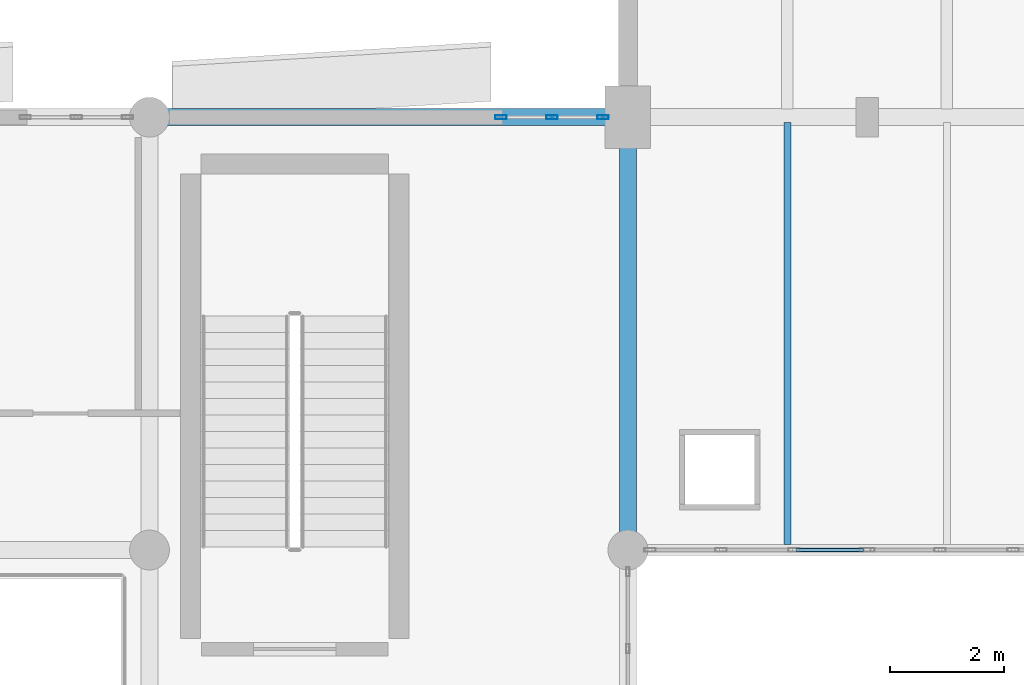
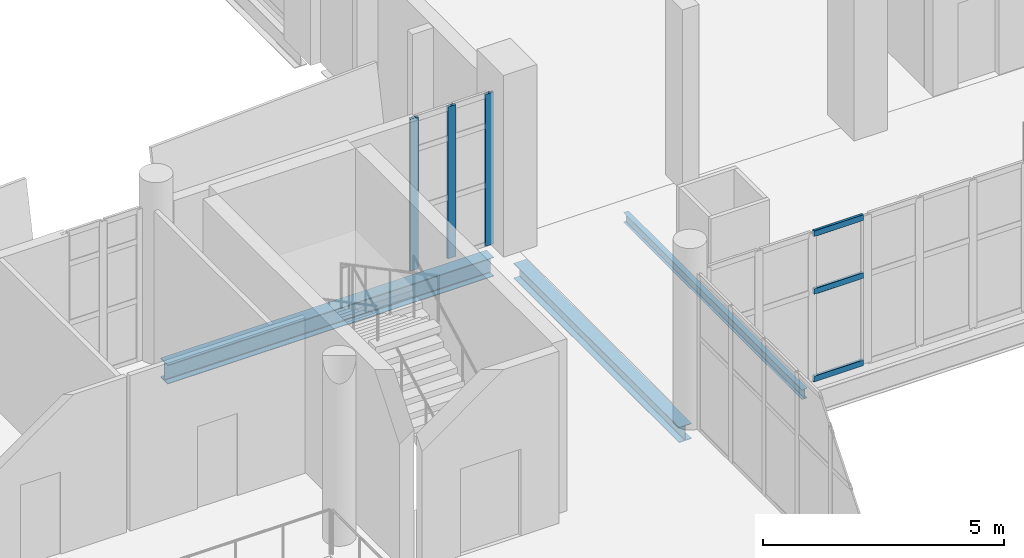
# One storey, part 43 of 136: 6 members, 3 beams, 2 elements without a shape of their own.
"""IFC4 building model written with IfcOpenShell, lengths in metres."""

from ifc_helpers import new_model, si_unit, direction, frame, origin, origin_2d, place, context, subcontext, project, spatial, hollow_rectangle, i_section, extrude, material, material_profile, profile_set, type_object, element, aggregate, save


model = new_model("IFC4")

# Units and contexts
model_context = context("Model", 3, precision=1e-05, world=origin(), true_north=direction((0.0, 1.0)))
body_context = subcontext(model_context, "Body", "Model", "MODEL_VIEW")
ifc_project = project(units=[si_unit("LENGTHUNIT", "METRE"), si_unit("AREAUNIT", "SQUARE_METRE"), si_unit("VOLUMEUNIT", "CUBIC_METRE"), si_unit("PLANEANGLEUNIT", "RADIAN"), si_unit("MASSUNIT", "GRAM", prefix="KILO")], contexts=[model_context])

# Site, building, storey
site_placement = place(None, origin())
site = spatial("IfcSite", under=ifc_project, at=site_placement, CompositionType="ELEMENT")
building_placement = place(site_placement, origin())
building = spatial("IfcBuilding", under=site, at=building_placement, Name="Shengluoqiao Park Theatre", CompositionType="ELEMENT")
storey_placement = place(building_placement, frame((0.0, 0.0, 10.0)))
storey = spatial("IfcBuildingStorey", under=building, at=storey_placement, Name="L02", CompositionType="ELEMENT", Elevation=10.0)

# Curtain wall, members
ifc_material_1 = material(Name="Aluminium 6063-T6", Category="aluminium")
curtain_wall_type_1 = type_object("IfcCurtainWallType", Name="ENV-CW-FOYER", PredefinedType="NOTDEFINED", material=ifc_material_1)
curtain_wall_1_placement = place(storey_placement, origin())
curtain_wall_1 = element("IfcCurtainWall", 1, at=curtain_wall_1_placement, inside=storey, type_object=curtain_wall_type_1, Name="L02 Curtain Wall CW-L02-0065", PredefinedType="NOTDEFINED")
ifc_material_profile_1 = material_profile(ifc_material_1, hollow_rectangle(XDim=0.06494140625, YDim=0.199951171875, WallThickness=0.0048828125, InnerFilletRadius=0.0048828125, OuterFilletRadius=0.010009765625, at=origin_2d()), Name="ALU MULLION 200x65x5")
ifc_profile_set_1 = profile_set([ifc_material_profile_1], Name="Aluminium 6063-T6")
member_type_1 = type_object("IfcMemberType", Name="ENV-MUL-200", PredefinedType="MULLION", material=ifc_profile_set_1)
member_1_placement = place(storey_placement, frame((42.16845703125, 76.0, 0.0), z_axis=(0.0, 0.0, 1.0), x_axis=(0.0, 1.0, 0.0)))
member_1 = element("IfcMember", 2, at=member_1_placement, type_object=member_type_1, Name="CW-01 mullion 1", PredefinedType="MULLION", context=body_context, shape_type="SweptSolid", body=[
    extrude(hollow_rectangle(XDim=0.06494140625, YDim=0.199951171875, WallThickness=0.0048828125, InnerFilletRadius=0.0048828125, OuterFilletRadius=0.010009765625, at=origin_2d()), origin(), (0.0, 0.0, 1.0), 3.85009765625),
])
member_2_placement = place(storey_placement, frame((43.06591796875, 76.0, 0.0), z_axis=(0.0, 0.0, 1.0), x_axis=(0.0, 1.0, 0.0)))
member_2 = element("IfcMember", 3, at=member_2_placement, type_object=member_type_1, Name="CW-01 mullion 2", PredefinedType="MULLION", context=body_context, shape_type="SweptSolid", body=[
    extrude(hollow_rectangle(XDim=0.06494140625, YDim=0.199951171875, WallThickness=0.0048828125, InnerFilletRadius=0.0048828125, OuterFilletRadius=0.010009765625, at=origin_2d()), origin(), (0.0, 0.0, 1.0), 3.85009765625),
])
member_3_placement = place(storey_placement, frame((43.96337890625, 76.0, 0.0), z_axis=(0.0, 0.0, 1.0), x_axis=(0.0, 1.0, 0.0)))
member_3 = element("IfcMember", 4, at=member_3_placement, type_object=member_type_1, Name="CW-01 mullion 3", PredefinedType="MULLION", context=body_context, shape_type="SweptSolid", body=[
    extrude(hollow_rectangle(XDim=0.06494140625, YDim=0.199951171875, WallThickness=0.0048828125, InnerFilletRadius=0.0048828125, OuterFilletRadius=0.010009765625, at=origin_2d()), origin(), (0.0, 0.0, 1.0), 3.85009765625),
])
aggregate(curtain_wall_1, [member_1, member_2, member_3])

curtain_wall_type_2 = type_object("IfcCurtainWallType", Name="ENV-CW-PROM", PredefinedType="NOTDEFINED", material=ifc_material_1)
curtain_wall_2_placement = place(storey_placement, origin())
curtain_wall_2 = element("IfcCurtainWall", 5, at=curtain_wall_2_placement, inside=storey, type_object=curtain_wall_type_2, Name="L02 Curtain Wall CW-L02-0066", PredefinedType="NOTDEFINED")
ifc_material_profile_2 = material_profile(ifc_material_1, hollow_rectangle(XDim=0.06494140625, YDim=0.14990234375, WallThickness=0.00390625, InnerFilletRadius=0.00390625, OuterFilletRadius=0.008056640625, at=origin_2d()), Name="ALU TRANSOM 150x65x4")
ifc_profile_set_2 = profile_set([ifc_material_profile_2], Name="Aluminium 6063-T6")
member_type_2 = type_object("IfcMemberType", Name="ENV-TRN-150", PredefinedType="USERDEFINED", material=ifc_profile_set_2)
member_4_placement = place(storey_placement, frame((47.3505859375, 68.39990234375, 0.032470703125), z_axis=(1.0, 0.0, 0.0), x_axis=(0.0, 1.0, 0.0)))
member_4 = element("IfcMember", 6, at=member_4_placement, type_object=member_type_2, Name="CW-04 transom 3.1", ObjectType="TRANSOM", PredefinedType="USERDEFINED", context=body_context, shape_type="SweptSolid", body=[
    extrude(hollow_rectangle(XDim=0.06494140625, YDim=0.14990234375, WallThickness=0.00390625, InnerFilletRadius=0.00390625, OuterFilletRadius=0.008056640625, at=origin_2d()), origin(), (0.0, 0.0, 1.0), 1.184326171875),
])
member_5_placement = place(storey_placement, frame((47.3505859375, 68.39990234375, 2.2451171875), z_axis=(1.0, 0.0, 0.0), x_axis=(0.0, 1.0, 0.0)))
member_5 = element("IfcMember", 7, at=member_5_placement, type_object=member_type_2, Name="CW-04 transom 3.2", ObjectType="TRANSOM", PredefinedType="USERDEFINED", context=body_context, shape_type="SweptSolid", body=[
    extrude(hollow_rectangle(XDim=0.06494140625, YDim=0.14990234375, WallThickness=0.00390625, InnerFilletRadius=0.00390625, OuterFilletRadius=0.008056640625, at=origin_2d()), origin(), (0.0, 0.0, 1.0), 1.184326171875),
])
member_6_placement = place(storey_placement, frame((47.3505859375, 68.39990234375, 3.70947265625), z_axis=(1.0, 0.0, 0.0), x_axis=(0.0, 1.0, 0.0)))
member_6 = element("IfcMember", 8, at=member_6_placement, type_object=member_type_2, Name="CW-04 transom 3.3", ObjectType="TRANSOM", PredefinedType="USERDEFINED", context=body_context, shape_type="SweptSolid", body=[
    extrude(hollow_rectangle(XDim=0.06494140625, YDim=0.14990234375, WallThickness=0.00390625, InnerFilletRadius=0.00390625, OuterFilletRadius=0.008056640625, at=origin_2d()), origin(), (0.0, 0.0, 1.0), 1.184326171875),
])
aggregate(curtain_wall_2, [member_4, member_5, member_6])

# Beams
ifc_material_2 = material(Name="Steel Q355", Category="steel")
ifc_material_profile_3 = material_profile(ifc_material_2, i_section(OverallWidth=0.300048828125, OverallDepth=0.389892578125, WebThickness=0.010009765625, FlangeThickness=0.01611328125, FilletRadius=0.01806640625, at=origin_2d()), Name="HM 390x300x10x16")
ifc_profile_set_3 = profile_set([ifc_material_profile_3], Name="Steel Q355")
beam_type_1 = type_object("IfcBeamType", Name="STR-BM-G-HM390", PredefinedType="BEAM", material=ifc_profile_set_3)
beam_1_placement = place(storey_placement, frame((44.39990234375, 68.593994140625, -0.43505859375), z_axis=(0.0, 1.0, 0.0), x_axis=(-1.0, 0.0, 0.0)))
element("IfcBeam", 9, at=beam_1_placement, inside=storey, type_object=beam_type_1, Name="L02 Transverse Girder 00981", PredefinedType="BEAM", context=body_context, shape_type="SweptSolid", body=[
    extrude(i_section(OverallWidth=0.300048828125, OverallDepth=0.389892578125, WebThickness=0.010009765625, FlangeThickness=0.01611328125, FilletRadius=0.01806640625, at=origin_2d()), origin(), (0.0, 0.0, 1.0), 6.862060546875),
])
ifc_material_profile_4 = material_profile(ifc_material_2, i_section(OverallWidth=0.300048828125, OverallDepth=0.488037109375, WebThickness=0.010986328125, FlangeThickness=0.01806640625, FilletRadius=0.02197265625, at=origin_2d()), Name="HM 488x300x11x18")
ifc_profile_set_4 = profile_set([ifc_material_profile_4], Name="Steel Q355")
beam_type_2 = type_object("IfcBeamType", Name="STR-BM-G-HM488", PredefinedType="BEAM", material=ifc_profile_set_4)
beam_2_placement = place(storey_placement, frame((36.194091796875, 76.0, -0.48388671875), z_axis=(1.0, 0.0, 0.0), x_axis=(0.0, 1.0, 0.0)))
element("IfcBeam", 10, at=beam_2_placement, inside=storey, type_object=beam_type_2, Name="L02 Primary Girder 00976", PredefinedType="BEAM", context=body_context, shape_type="SweptSolid", body=[
    extrude(i_section(OverallWidth=0.300048828125, OverallDepth=0.488037109375, WebThickness=0.010986328125, FlangeThickness=0.01806640625, FilletRadius=0.02197265625, at=origin_2d()), origin(), (0.0, 0.0, 1.0), 7.81201171875),
])
ifc_material_profile_5 = material_profile(ifc_material_2, i_section(OverallWidth=0.125, OverallDepth=0.25, WebThickness=0.006103515625, FlangeThickness=0.009033203125, FilletRadius=0.010009765625, at=origin_2d()), Name="HN 250x125x6x9")
ifc_profile_set_5 = profile_set([ifc_material_profile_5], Name="Steel Q355")
beam_type_3 = type_object("IfcBeamType", Name="STR-BM-J-HN250", PredefinedType="JOIST", material=ifc_profile_set_5)
beam_3_placement = place(storey_placement, frame((47.199951171875, 68.494384765625, -0.364990234375), z_axis=(0.0, 1.0, 0.0), x_axis=(-1.0, 0.0, 0.0)))
element("IfcBeam", 11, at=beam_3_placement, inside=storey, type_object=beam_type_3, Name="L02 Composite Joist 00995", PredefinedType="JOIST", context=body_context, shape_type="SweptSolid", body=[
    extrude(i_section(OverallWidth=0.125, OverallDepth=0.25, WebThickness=0.006103515625, FlangeThickness=0.009033203125, FilletRadius=0.010009765625, at=origin_2d()), origin(), (0.0, 0.0, 1.0), 7.4111328125),
])

save(model, "model.ifc")
